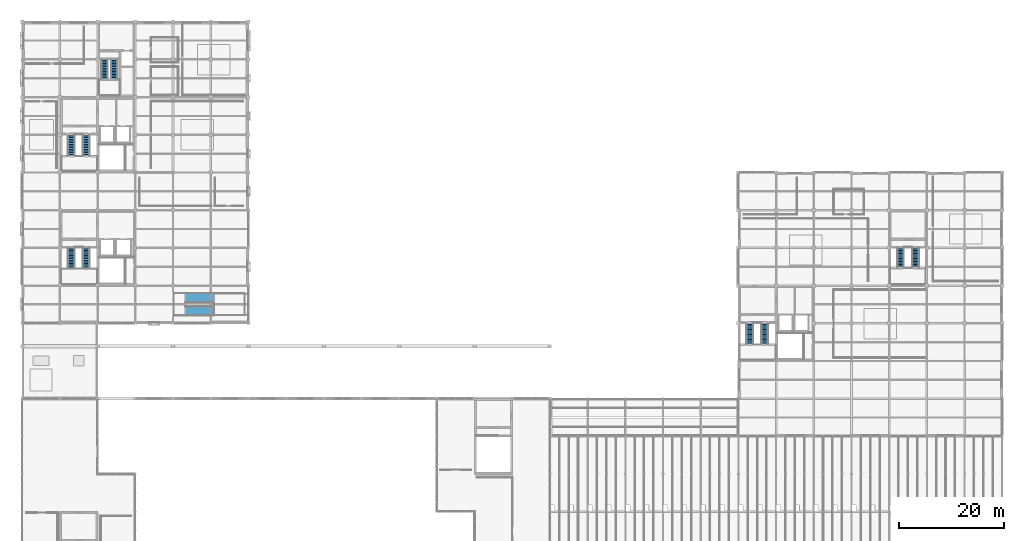
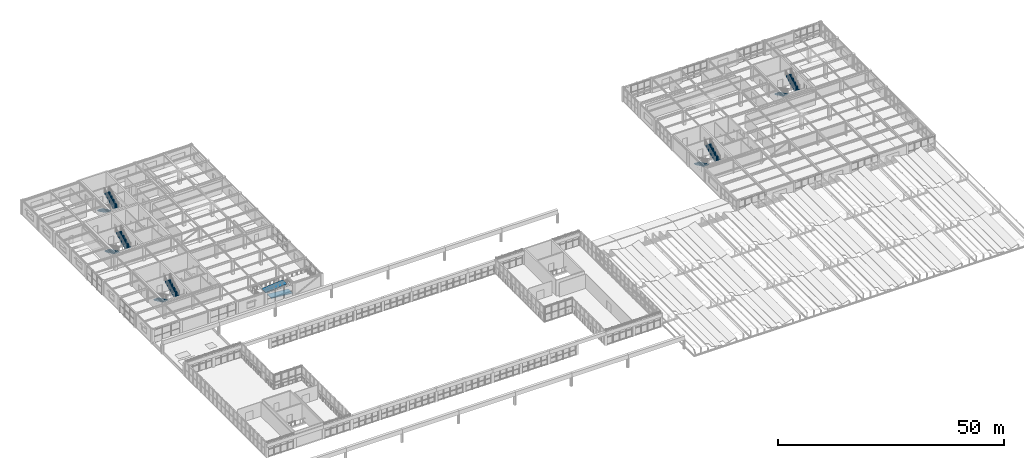
# One storey, part 70 of 83: 10 stair flights, 2 ramp flights, 6 elements without a shape of their own.
"""IFC4 building model written with IfcOpenShell, lengths in metres."""

from ifc_helpers import new_model, si_unit, direction, frame, origin, place, context, subcontext, project, spatial, polyline, outline, extrude, material, layer, layer_set, type_object, element, aggregate, save


model = new_model("IFC4")

# Units and contexts
model_context = context("Model", 3, precision=1e-05, world=origin(), true_north=direction((0.0, 1.0)))
body_context = subcontext(model_context, "Body", "Model", "MODEL_VIEW")
ifc_project = project(units=[si_unit("LENGTHUNIT", "METRE"), si_unit("AREAUNIT", "SQUARE_METRE"), si_unit("VOLUMEUNIT", "CUBIC_METRE"), si_unit("PLANEANGLEUNIT", "RADIAN"), si_unit("MASSUNIT", "GRAM", prefix="KILO")], contexts=[model_context])

# Site, building, storey
site_placement = place(None, origin())
site = spatial("IfcSite", under=ifc_project, at=site_placement, CompositionType="ELEMENT")
building_placement = place(site_placement, origin())
building = spatial("IfcBuilding", under=site, at=building_placement, Name="Leyfeld Transit Interchange", CompositionType="ELEMENT")
storey_placement = place(building_placement, frame((0.0, 0.0, 5.39990234375)))
storey = spatial("IfcBuildingStorey", under=building, at=storey_placement, Name="L01", CompositionType="ELEMENT", Elevation=5.39990234375)

# Stair, stair flights
ifc_material_1 = material(Name="Precast concrete C40/50", Category="concrete")
stair_type_1 = type_object("IfcStairType", Name="STR-HT-150x300", PredefinedType="HALF_TURN_STAIR", material=ifc_material_1)
stair_1_placement = place(storey_placement, origin())
stair_1 = element("IfcStair", 1, at=stair_1_placement, inside=storey, type_object=stair_type_1, Name="Exit Stair ST-02 (L01 to L02)", PredefinedType="HALF_TURN_STAIR")
ifc_layer_1 = layer(ifc_material_1, 0.199951171875, Name="Precast concrete C40/50")
ifc_layer_set_1 = layer_set([ifc_layer_1], Name="Precast concrete C40/50")
stair_flight_type_1 = type_object("IfcStairFlightType", Name="FLT-1350", PredefinedType="STRAIGHT", material=ifc_layer_set_1)
stair_flight_1_placement = place(storey_placement, frame((15.719970703125, 115.300048828125, 0.0), z_axis=(0.0, 0.0, 1.0), x_axis=(0.0, -1.0, 0.0)))
stair_flight_1 = element("IfcStairFlight", 2, at=stair_flight_1_placement, type_object=stair_flight_type_1, Name="Stair ST-02 L01 Flight 1", NumberOfRisers=14, NumberOfTreads=13, PredefinedType="STRAIGHT", RiserHeight=0.15, TreadLength=0.3, context=body_context, shape_type="SweptSolid", body=[
    extrude(outline(polyline([(0.0, 0.0), (0.0, 0.14990234375), (0.300048828125, 0.14990234375), (0.300048828125, 0.300048828125), (0.60009765625, 0.300048828125), (0.60009765625, 0.449951171875), (0.89990234375, 0.449951171875), (0.89990234375, 0.60009765625), (1.199951171875, 0.60009765625), (1.199951171875, 0.75), (1.5, 0.75), (1.5, 0.89990234375), (1.800048828125, 0.89990234375), (1.800048828125, 1.050048828125), (2.10009765625, 1.050048828125), (2.10009765625, 1.199951171875), (2.39990234375, 1.199951171875), (2.39990234375, 1.35009765625), (2.699951171875, 1.35009765625), (2.699951171875, 1.5), (3.0, 1.5), (3.0, 1.64990234375), (3.300048828125, 1.64990234375), (3.300048828125, 1.800048828125), (3.60009765625, 1.800048828125), (3.60009765625, 1.949951171875), (3.89990234375, 1.949951171875), (3.89990234375, 2.10009765625), (3.89990234375, 1.7265625), (0.447021484375, 0.0), (0.0, 0.0)])), frame((0.0, 0.675048828125, 0.0), z_axis=(0.0, -1.0, 0.0), x_axis=(1.0, 0.0, 0.0)), (0.0, 0.0, 1.0), 1.35009765625),
])
stair_flight_2_placement = place(storey_placement, frame((17.6201171875, 111.39990234375, 2.10009765625), z_axis=(0.0, 0.0, 1.0), x_axis=(0.0, 1.0, 0.0)))
stair_flight_2 = element("IfcStairFlight", 3, at=stair_flight_2_placement, type_object=stair_flight_type_1, Name="Stair ST-02 L01 Flight 2", NumberOfRisers=14, NumberOfTreads=13, PredefinedType="STRAIGHT", RiserHeight=0.15, TreadLength=0.3, context=body_context, shape_type="SweptSolid", body=[
    extrude(outline(polyline([(0.0, 0.0), (0.0, 0.14990234375), (0.300048828125, 0.14990234375), (0.300048828125, 0.300048828125), (0.60009765625, 0.300048828125), (0.60009765625, 0.449951171875), (0.89990234375, 0.449951171875), (0.89990234375, 0.60009765625), (1.199951171875, 0.60009765625), (1.199951171875, 0.75), (1.5, 0.75), (1.5, 0.89990234375), (1.800048828125, 0.89990234375), (1.800048828125, 1.050048828125), (2.10009765625, 1.050048828125), (2.10009765625, 1.199951171875), (2.39990234375, 1.199951171875), (2.39990234375, 1.35009765625), (2.699951171875, 1.35009765625), (2.699951171875, 1.5), (3.0, 1.5), (3.0, 1.64990234375), (3.300048828125, 1.64990234375), (3.300048828125, 1.800048828125), (3.60009765625, 1.800048828125), (3.60009765625, 1.949951171875), (3.89990234375, 1.949951171875), (3.89990234375, 2.10009765625), (3.89990234375, 1.7265625), (0.447021484375, 0.0), (0.0, 0.0)])), frame((0.0, 0.675048828125, 0.0), z_axis=(0.0, -1.0, 0.0), x_axis=(1.0, 0.0, 0.0)), (0.0, 0.0, 1.0), 1.35009765625),
])
aggregate(stair_1, [stair_flight_1, stair_flight_2])

stair_2_placement = place(storey_placement, origin())
stair_2 = element("IfcStair", 4, at=stair_2_placement, inside=storey, type_object=stair_type_1, Name="Exit Stair ST-05 (L01 to L02)", PredefinedType="HALF_TURN_STAIR")
stair_flight_3_placement = place(storey_placement, frame((167.75, 79.300048828125, 0.0), z_axis=(0.0, 0.0, 1.0), x_axis=(0.0, -1.0, 0.0)))
stair_flight_3 = element("IfcStairFlight", 5, at=stair_flight_3_placement, type_object=stair_flight_type_1, Name="Stair ST-05 L01 Flight 1", NumberOfRisers=14, NumberOfTreads=13, PredefinedType="STRAIGHT", RiserHeight=0.15, TreadLength=0.3, context=body_context, shape_type="SweptSolid", body=[
    extrude(outline(polyline([(0.0, 0.0), (0.0, 0.14990234375), (0.300048828125, 0.14990234375), (0.300048828125, 0.300048828125), (0.60009765625, 0.300048828125), (0.60009765625, 0.449951171875), (0.89990234375, 0.449951171875), (0.89990234375, 0.60009765625), (1.199951171875, 0.60009765625), (1.199951171875, 0.75), (1.5, 0.75), (1.5, 0.89990234375), (1.800048828125, 0.89990234375), (1.800048828125, 1.050048828125), (2.10009765625, 1.050048828125), (2.10009765625, 1.199951171875), (2.39990234375, 1.199951171875), (2.39990234375, 1.35009765625), (2.699951171875, 1.35009765625), (2.699951171875, 1.5), (3.0, 1.5), (3.0, 1.64990234375), (3.300048828125, 1.64990234375), (3.300048828125, 1.800048828125), (3.60009765625, 1.800048828125), (3.60009765625, 1.949951171875), (3.89990234375, 1.949951171875), (3.89990234375, 2.10009765625), (3.89990234375, 1.7265625), (0.447021484375, 0.0), (0.0, 0.0)])), frame((0.0, 0.675048828125, 0.0), z_axis=(0.0, -1.0, 0.0), x_axis=(1.0, 0.0, 0.0)), (0.0, 0.0, 1.0), 1.35009765625),
])
stair_flight_4_placement = place(storey_placement, frame((170.64990234375, 75.39990234375, 2.10009765625), z_axis=(0.0, 0.0, 1.0), x_axis=(0.0, 1.0, 0.0)))
stair_flight_4 = element("IfcStairFlight", 6, at=stair_flight_4_placement, type_object=stair_flight_type_1, Name="Stair ST-05 L01 Flight 2", NumberOfRisers=14, NumberOfTreads=13, PredefinedType="STRAIGHT", RiserHeight=0.15, TreadLength=0.3, context=body_context, shape_type="SweptSolid", body=[
    extrude(outline(polyline([(0.0, 0.0), (0.0, 0.14990234375), (0.300048828125, 0.14990234375), (0.300048828125, 0.300048828125), (0.60009765625, 0.300048828125), (0.60009765625, 0.449951171875), (0.89990234375, 0.449951171875), (0.89990234375, 0.60009765625), (1.199951171875, 0.60009765625), (1.199951171875, 0.75), (1.5, 0.75), (1.5, 0.89990234375), (1.800048828125, 0.89990234375), (1.800048828125, 1.050048828125), (2.10009765625, 1.050048828125), (2.10009765625, 1.199951171875), (2.39990234375, 1.199951171875), (2.39990234375, 1.35009765625), (2.699951171875, 1.35009765625), (2.699951171875, 1.5), (3.0, 1.5), (3.0, 1.64990234375), (3.300048828125, 1.64990234375), (3.300048828125, 1.800048828125), (3.60009765625, 1.800048828125), (3.60009765625, 1.949951171875), (3.89990234375, 1.949951171875), (3.89990234375, 2.10009765625), (3.89990234375, 1.7265625), (0.447021484375, 0.0), (0.0, 0.0)])), frame((0.0, 0.675048828125, 0.0), z_axis=(0.0, -1.0, 0.0), x_axis=(1.0, 0.0, 0.0)), (0.0, 0.0, 1.0), 1.35009765625),
])
aggregate(stair_2, [stair_flight_3, stair_flight_4])

stair_type_2 = type_object("IfcStairType", Name="STR-HT-150x320", PredefinedType="HALF_TURN_STAIR", material=ifc_material_1)
stair_3_placement = place(storey_placement, origin())
stair_3 = element("IfcStair", 7, at=stair_3_placement, inside=storey, type_object=stair_type_2, Name="Exit Stair ST-01 (L01 to L02)", PredefinedType="HALF_TURN_STAIR")
ifc_layer_2 = layer(ifc_material_1, 0.199951171875, Name="Precast concrete C40/50")
ifc_layer_set_2 = layer_set([ifc_layer_2], Name="Precast concrete C40/50")
stair_flight_type_2 = type_object("IfcStairFlightType", Name="FLT-1400", PredefinedType="STRAIGHT", material=ifc_layer_set_2)
stair_flight_5_placement = place(storey_placement, frame((9.35009765625, 100.89990234375, 0.0), z_axis=(0.0, 0.0, 1.0), x_axis=(0.0, -1.0, 0.0)))
stair_flight_5 = element("IfcStairFlight", 8, at=stair_flight_5_placement, type_object=stair_flight_type_2, Name="Stair ST-01 L01 Flight 1", NumberOfRisers=14, NumberOfTreads=13, PredefinedType="STRAIGHT", RiserHeight=0.15, TreadLength=0.32, context=body_context, shape_type="SweptSolid", body=[
    extrude(outline(polyline([(0.0, 0.0), (0.0, 0.14990234375), (0.320068359375, 0.14990234375), (0.320068359375, 0.300048828125), (0.639892578125, 0.300048828125), (0.639892578125, 0.449951171875), (0.9599609375, 0.449951171875), (0.9599609375, 0.60009765625), (1.280029296875, 0.60009765625), (1.280029296875, 0.75), (1.60009765625, 0.75), (1.60009765625, 0.89990234375), (1.919921875, 0.89990234375), (1.919921875, 1.050048828125), (2.239990234375, 1.050048828125), (2.239990234375, 1.199951171875), (2.56005859375, 1.199951171875), (2.56005859375, 1.35009765625), (2.8798828125, 1.35009765625), (2.8798828125, 1.5), (3.199951171875, 1.5), (3.199951171875, 1.64990234375), (3.52001953125, 1.64990234375), (3.52001953125, 1.800048828125), (3.840087890625, 1.800048828125), (3.840087890625, 1.949951171875), (4.159912109375, 1.949951171875), (4.159912109375, 2.10009765625), (4.159912109375, 1.729248046875), (0.47119140625, 0.0), (0.0, 0.0)])), frame((0.0, 0.699951171875, 0.0), z_axis=(0.0, -1.0, 0.0), x_axis=(1.0, 0.0, 0.0)), (0.0, 0.0, 1.0), 1.39990234375),
])
stair_flight_6_placement = place(storey_placement, frame((12.25, 96.739990234375, 2.10009765625), z_axis=(0.0, 0.0, 1.0), x_axis=(0.0, 1.0, 0.0)))
stair_flight_6 = element("IfcStairFlight", 9, at=stair_flight_6_placement, type_object=stair_flight_type_2, Name="Stair ST-01 L01 Flight 2", NumberOfRisers=14, NumberOfTreads=13, PredefinedType="STRAIGHT", RiserHeight=0.15, TreadLength=0.32, context=body_context, shape_type="SweptSolid", body=[
    extrude(outline(polyline([(0.0, 0.0), (0.0, 0.14990234375), (0.320068359375, 0.14990234375), (0.320068359375, 0.300048828125), (0.639892578125, 0.300048828125), (0.639892578125, 0.449951171875), (0.9599609375, 0.449951171875), (0.9599609375, 0.60009765625), (1.280029296875, 0.60009765625), (1.280029296875, 0.75), (1.60009765625, 0.75), (1.60009765625, 0.89990234375), (1.919921875, 0.89990234375), (1.919921875, 1.050048828125), (2.239990234375, 1.050048828125), (2.239990234375, 1.199951171875), (2.56005859375, 1.199951171875), (2.56005859375, 1.35009765625), (2.8798828125, 1.35009765625), (2.8798828125, 1.5), (3.199951171875, 1.5), (3.199951171875, 1.64990234375), (3.52001953125, 1.64990234375), (3.52001953125, 1.800048828125), (3.840087890625, 1.800048828125), (3.840087890625, 1.949951171875), (4.159912109375, 1.949951171875), (4.159912109375, 2.10009765625), (4.159912109375, 1.729248046875), (0.47119140625, 0.0), (0.0, 0.0)])), frame((0.0, 0.699951171875, 0.0), z_axis=(0.0, -1.0, 0.0), x_axis=(1.0, 0.0, 0.0)), (0.0, 0.0, 1.0), 1.39990234375),
])
aggregate(stair_3, [stair_flight_5, stair_flight_6])

stair_type_3 = type_object("IfcStairType", Name="STR-HT-150x310", PredefinedType="HALF_TURN_STAIR", material=ifc_material_1)
stair_4_placement = place(storey_placement, origin())
stair_4 = element("IfcStair", 10, at=stair_4_placement, inside=storey, type_object=stair_type_3, Name="Exit Stair ST-03 (L01 to L02)", PredefinedType="HALF_TURN_STAIR")
stair_flight_7_placement = place(storey_placement, frame((9.35009765625, 79.300048828125, 0.0), z_axis=(0.0, 0.0, 1.0), x_axis=(0.0, -1.0, 0.0)))
stair_flight_7 = element("IfcStairFlight", 11, at=stair_flight_7_placement, type_object=stair_flight_type_2, Name="Stair ST-03 L01 Flight 1", NumberOfRisers=14, NumberOfTreads=13, PredefinedType="STRAIGHT", RiserHeight=0.15, TreadLength=0.31, context=body_context, shape_type="SweptSolid", body=[
    extrude(outline(polyline([(0.0, 0.0), (0.0, 0.14990234375), (0.31005859375, 0.14990234375), (0.31005859375, 0.300048828125), (0.6201171875, 0.300048828125), (0.6201171875, 0.449951171875), (0.929931640625, 0.449951171875), (0.929931640625, 0.60009765625), (1.239990234375, 0.60009765625), (1.239990234375, 0.75), (1.550048828125, 0.75), (1.550048828125, 0.89990234375), (1.860107421875, 0.89990234375), (1.860107421875, 1.050048828125), (2.169921875, 1.050048828125), (2.169921875, 1.199951171875), (2.47998046875, 1.199951171875), (2.47998046875, 1.35009765625), (2.7900390625, 1.35009765625), (2.7900390625, 1.5), (3.10009765625, 1.5), (3.10009765625, 1.64990234375), (3.409912109375, 1.64990234375), (3.409912109375, 1.800048828125), (3.719970703125, 1.800048828125), (3.719970703125, 1.949951171875), (4.030029296875, 1.949951171875), (4.030029296875, 2.10009765625), (4.030029296875, 1.727783203125), (0.458984375, 0.0), (0.0, 0.0)])), frame((0.0, 0.699951171875, 0.0), z_axis=(0.0, -1.0, 0.0), x_axis=(1.0, 0.0, 0.0)), (0.0, 0.0, 1.0), 1.39990234375),
])
stair_flight_8_placement = place(storey_placement, frame((12.25, 75.27001953125, 2.10009765625), z_axis=(0.0, 0.0, 1.0), x_axis=(0.0, 1.0, 0.0)))
stair_flight_8 = element("IfcStairFlight", 12, at=stair_flight_8_placement, type_object=stair_flight_type_2, Name="Stair ST-03 L01 Flight 2", NumberOfRisers=14, NumberOfTreads=13, PredefinedType="STRAIGHT", RiserHeight=0.15, TreadLength=0.31, context=body_context, shape_type="SweptSolid", body=[
    extrude(outline(polyline([(0.0, 0.0), (0.0, 0.14990234375), (0.31005859375, 0.14990234375), (0.31005859375, 0.300048828125), (0.6201171875, 0.300048828125), (0.6201171875, 0.449951171875), (0.929931640625, 0.449951171875), (0.929931640625, 0.60009765625), (1.239990234375, 0.60009765625), (1.239990234375, 0.75), (1.550048828125, 0.75), (1.550048828125, 0.89990234375), (1.860107421875, 0.89990234375), (1.860107421875, 1.050048828125), (2.169921875, 1.050048828125), (2.169921875, 1.199951171875), (2.47998046875, 1.199951171875), (2.47998046875, 1.35009765625), (2.7900390625, 1.35009765625), (2.7900390625, 1.5), (3.10009765625, 1.5), (3.10009765625, 1.64990234375), (3.409912109375, 1.64990234375), (3.409912109375, 1.800048828125), (3.719970703125, 1.800048828125), (3.719970703125, 1.949951171875), (4.030029296875, 1.949951171875), (4.030029296875, 2.10009765625), (4.030029296875, 1.727783203125), (0.458984375, 0.0), (0.0, 0.0)])), frame((0.0, 0.699951171875, 0.0), z_axis=(0.0, -1.0, 0.0), x_axis=(1.0, 0.0, 0.0)), (0.0, 0.0, 1.0), 1.39990234375),
])
aggregate(stair_4, [stair_flight_7, stair_flight_8])

stair_5_placement = place(storey_placement, origin())
stair_5 = element("IfcStair", 13, at=stair_5_placement, inside=storey, type_object=stair_type_2, Name="Exit Stair ST-04 (L01 to L02)", PredefinedType="HALF_TURN_STAIR")
stair_flight_9_placement = place(storey_placement, frame((138.949951171875, 64.89990234375, 0.0), z_axis=(0.0, 0.0, 1.0), x_axis=(0.0, -1.0, 0.0)))
stair_flight_9 = element("IfcStairFlight", 14, at=stair_flight_9_placement, type_object=stair_flight_type_2, Name="Stair ST-04 L01 Flight 1", NumberOfRisers=14, NumberOfTreads=13, PredefinedType="STRAIGHT", RiserHeight=0.15, TreadLength=0.32, context=body_context, shape_type="SweptSolid", body=[
    extrude(outline(polyline([(0.0, 0.0), (0.0, 0.14990234375), (0.320068359375, 0.14990234375), (0.320068359375, 0.300048828125), (0.639892578125, 0.300048828125), (0.639892578125, 0.449951171875), (0.9599609375, 0.449951171875), (0.9599609375, 0.60009765625), (1.280029296875, 0.60009765625), (1.280029296875, 0.75), (1.60009765625, 0.75), (1.60009765625, 0.89990234375), (1.919921875, 0.89990234375), (1.919921875, 1.050048828125), (2.239990234375, 1.050048828125), (2.239990234375, 1.199951171875), (2.56005859375, 1.199951171875), (2.56005859375, 1.35009765625), (2.8798828125, 1.35009765625), (2.8798828125, 1.5), (3.199951171875, 1.5), (3.199951171875, 1.64990234375), (3.52001953125, 1.64990234375), (3.52001953125, 1.800048828125), (3.840087890625, 1.800048828125), (3.840087890625, 1.949951171875), (4.159912109375, 1.949951171875), (4.159912109375, 2.10009765625), (4.159912109375, 1.729248046875), (0.47119140625, 0.0), (0.0, 0.0)])), frame((0.0, 0.699951171875, 0.0), z_axis=(0.0, -1.0, 0.0), x_axis=(1.0, 0.0, 0.0)), (0.0, 0.0, 1.0), 1.39990234375),
])
stair_flight_10_placement = place(storey_placement, frame((141.85009765625, 60.739990234375, 2.10009765625), z_axis=(0.0, 0.0, 1.0), x_axis=(0.0, 1.0, 0.0)))
stair_flight_10 = element("IfcStairFlight", 15, at=stair_flight_10_placement, type_object=stair_flight_type_2, Name="Stair ST-04 L01 Flight 2", NumberOfRisers=14, NumberOfTreads=13, PredefinedType="STRAIGHT", RiserHeight=0.15, TreadLength=0.32, context=body_context, shape_type="SweptSolid", body=[
    extrude(outline(polyline([(0.0, 0.0), (0.0, 0.14990234375), (0.320068359375, 0.14990234375), (0.320068359375, 0.300048828125), (0.639892578125, 0.300048828125), (0.639892578125, 0.449951171875), (0.9599609375, 0.449951171875), (0.9599609375, 0.60009765625), (1.280029296875, 0.60009765625), (1.280029296875, 0.75), (1.60009765625, 0.75), (1.60009765625, 0.89990234375), (1.919921875, 0.89990234375), (1.919921875, 1.050048828125), (2.239990234375, 1.050048828125), (2.239990234375, 1.199951171875), (2.56005859375, 1.199951171875), (2.56005859375, 1.35009765625), (2.8798828125, 1.35009765625), (2.8798828125, 1.5), (3.199951171875, 1.5), (3.199951171875, 1.64990234375), (3.52001953125, 1.64990234375), (3.52001953125, 1.800048828125), (3.840087890625, 1.800048828125), (3.840087890625, 1.949951171875), (4.159912109375, 1.949951171875), (4.159912109375, 2.10009765625), (4.159912109375, 1.729248046875), (0.47119140625, 0.0), (0.0, 0.0)])), frame((0.0, 0.699951171875, 0.0), z_axis=(0.0, -1.0, 0.0), x_axis=(1.0, 0.0, 0.0)), (0.0, 0.0, 1.0), 1.39990234375),
])
aggregate(stair_5, [stair_flight_9, stair_flight_10])

# Ramp, ramp flights
ifc_material_2 = material(Name="Concrete C35/45", Category="concrete")
ramp_type = type_object("IfcRampType", Name="RMP-CYC-HT", PredefinedType="HALF_TURN_RAMP", material=ifc_material_2)
ramp_placement = place(storey_placement, origin())
ramp = element("IfcRamp", 16, at=ramp_placement, inside=storey, type_object=ramp_type, Name="Cycle Hub 1:12 Ramp L01", PredefinedType="HALF_TURN_RAMP")
ifc_layer_3 = layer(ifc_material_2, 0.25, Name="Concrete C35/45")
ifc_layer_set_3 = layer_set([ifc_layer_3], Name="Concrete C35/45")
ramp_flight_type = type_object("IfcRampFlightType", Name="RFLT-CYC-1800", PredefinedType="STRAIGHT", material=ifc_layer_set_3)
ramp_flight_1_placement = place(storey_placement, frame((36.60009765625, 67.14990234375, 0.0), z_axis=(0.0, 0.0, 1.0), x_axis=(-1.0, 0.0, 0.0)))
ramp_flight_1 = element("IfcRampFlight", 17, at=ramp_flight_1_placement, type_object=ramp_flight_type, Name="Cycle Ramp L01 Flight 1", PredefinedType="STRAIGHT", context=body_context, shape_type="SweptSolid", body=[
    extrude(outline(polyline([(0.0, 0.0), (5.400146484375, 0.4501953125), (5.400146484375, 0.250244140625), (0.0, -0.199951171875), (0.0, 0.0)])), frame((0.0, 0.89990234375, 0.0), z_axis=(0.0, -1.0, 0.0), x_axis=(1.0, 0.0, 0.0)), (0.0, 0.0, 1.0), 1.800048828125),
])
ramp_flight_2_placement = place(storey_placement, frame((31.199951171875, 69.64990234375, 0.4501953125), z_axis=(0.0, 0.0, 1.0), x_axis=(1.0, 0.0, 0.0)))
ramp_flight_2 = element("IfcRampFlight", 18, at=ramp_flight_2_placement, type_object=ramp_flight_type, Name="Cycle Ramp L01 Flight 2", PredefinedType="STRAIGHT", context=body_context, shape_type="SweptSolid", body=[
    extrude(outline(polyline([(0.0, 0.0), (5.400146484375, 0.449951171875), (5.400146484375, 0.25), (0.0, -0.199951171875), (0.0, 0.0)])), frame((0.0, 0.89990234375, 0.0), z_axis=(0.0, -1.0, 0.0), x_axis=(1.0, 0.0, 0.0)), (0.0, 0.0, 1.0), 1.800048828125),
])
aggregate(ramp, [ramp_flight_1, ramp_flight_2])

save(model, "model.ifc")
